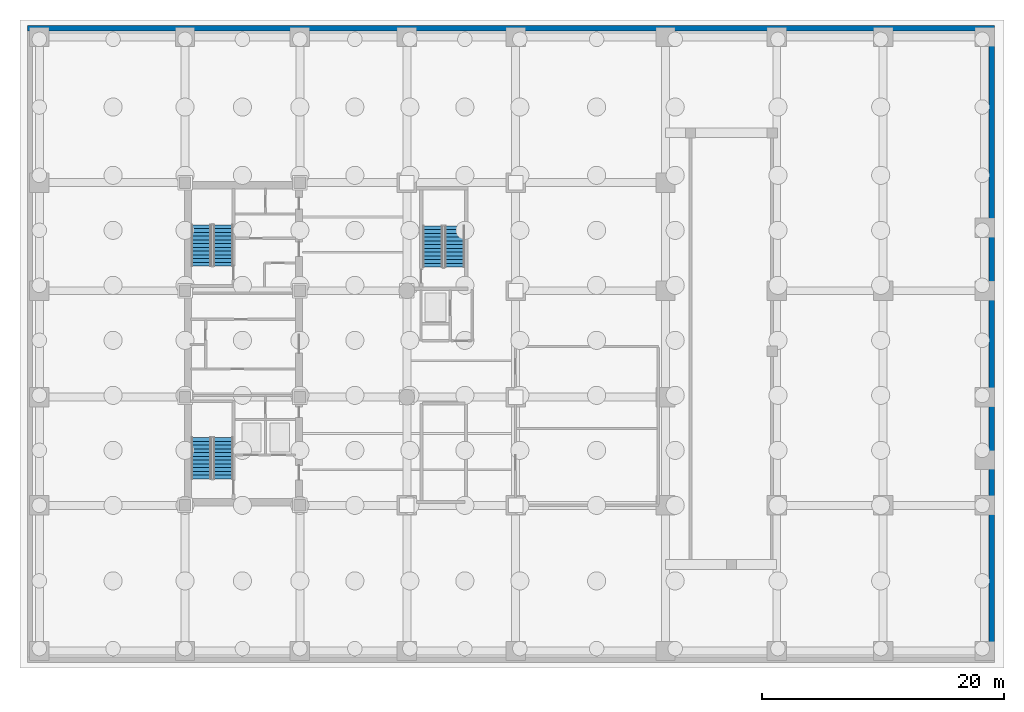
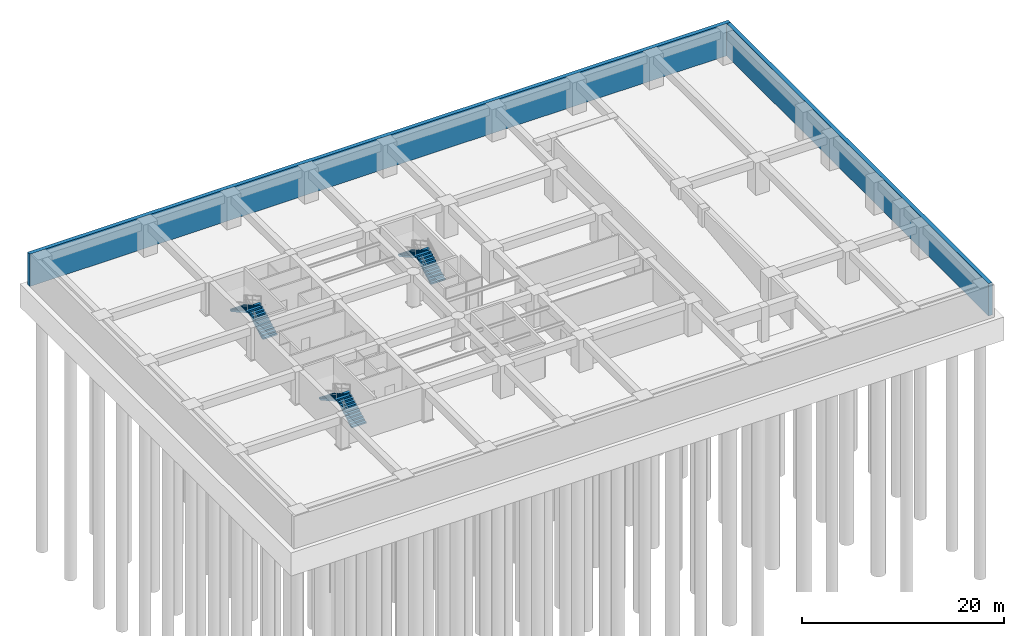
# One storey, part 7 of 9: 6 stair flights, 2 walls, 3 elements without a shape of their own.
"""IFC4 building model written with IfcOpenShell, lengths in metres."""

from ifc_helpers import new_model, si_unit, direction, frame, frame_2d, origin, place, context, subcontext, project, spatial, polyline, rectangle, outline, extrude, material, layer, layer_set, type_object, element, aggregate, save


model = new_model("IFC4")

# Units and contexts
model_context = context("Model", 3, precision=1e-05, world=origin(), true_north=direction((0.0, 1.0)))
body_context = subcontext(model_context, "Body", "Model", "MODEL_VIEW")
ifc_project = project(units=[si_unit("LENGTHUNIT", "METRE"), si_unit("AREAUNIT", "SQUARE_METRE"), si_unit("VOLUMEUNIT", "CUBIC_METRE"), si_unit("PLANEANGLEUNIT", "RADIAN"), si_unit("MASSUNIT", "GRAM", prefix="KILO")], contexts=[model_context])

# Site, building, storey
site_placement = place(None, origin())
site = spatial("IfcSite", under=ifc_project, at=site_placement, CompositionType="ELEMENT")
building_placement = place(site_placement, origin())
building = spatial("IfcBuilding", under=site, at=building_placement, Name="Kundavana Baori Tower", CompositionType="ELEMENT")
storey_placement = place(building_placement, frame((0.0, 0.0, -8.39990234375)))
storey = spatial("IfcBuildingStorey", under=building, at=storey_placement, Name="B02", CompositionType="ELEMENT", Elevation=-8.39990234375)

# Walls
ifc_material_1 = material(Name="Concrete C40/50", Category="concrete")
ifc_layer = layer(ifc_material_1, 0.449951171875, Name="WL-RET-450")
ifc_layer_set = layer_set([ifc_layer], Name="Concrete C40/50")
wall_type = type_object("IfcWallType", Name="WL-RET-450", PredefinedType="SHEAR", material=ifc_layer_set)
wall_1_placement = place(storey_placement, frame((2.39990234375, 54.72509765625, 0.0), z_axis=(0.0, 0.0, 1.0), x_axis=(1.0, 0.0, 0.0)))
element("IfcWall", 1, at=wall_1_placement, inside=storey, type_object=wall_type, Name="B02 North Perimeter Retaining Wall", PredefinedType="SHEAR", context=body_context, shape_type="SweptSolid", body=[
    extrude(rectangle(XDim=80.0, YDim=0.449951171875, at=frame_2d((40.0, 0.0))), origin(), (0.0, 0.0, 1.0), 3.89990234375),
])
wall_2_placement = place(storey_placement, frame((82.175048828125, 2.699951171875, 0.0), z_axis=(0.0, 0.0, 1.0), x_axis=(0.0, 1.0, 0.0)))
element("IfcWall", 2, at=wall_2_placement, inside=storey, type_object=wall_type, Name="B02 East Perimeter Retaining Wall", PredefinedType="SHEAR", context=body_context, shape_type="SweptSolid", body=[
    extrude(rectangle(XDim=51.800048828125, YDim=0.449951171875, at=frame_2d((25.89990234375, 0.0))), origin(), (0.0, 0.0, 1.0), 3.89990234375),
])

# Stair, stair flights
ifc_material_2 = material(Name="Concrete C40/50", Category="concrete")
stair_type = type_object("IfcStairType", Name="STR-DOG-1650", PredefinedType="HALF_TURN_STAIR", material=ifc_material_2)
stair_1_placement = place(storey_placement, origin())
stair_1 = element("IfcStair", 3, at=stair_1_placement, inside=storey, type_object=stair_type, Name="B02 Protected Exit Stair ST1", PredefinedType="HALF_TURN_STAIR")
ifc_material_3 = material(Name="Concrete C40/50", Category="concrete")
stair_flight_type = type_object("IfcStairFlightType", Name="SFL-RC-1650", PredefinedType="STRAIGHT", material=ifc_material_3)
stair_flight_1_placement = place(storey_placement, frame((18.614990234375, 17.449951171875, 0.0), z_axis=(0.0, 0.0, 1.0), x_axis=(0.0, 1.0, 0.0)))
stair_flight_1 = element("IfcStairFlight", 4, at=stair_flight_1_placement, type_object=stair_flight_type, Name="ST1 flight 1", NumberOfRisers=12, NumberOfTreads=11, PredefinedType="STRAIGHT", RiserHeight=0.175, TreadLength=0.31, context=body_context, shape_type="SweptSolid", body=[
    extrude(outline(polyline([(0.0, 0.0), (0.0, 0.175048828125), (0.31005859375, 0.175048828125), (0.31005859375, 0.35009765625), (0.6201171875, 0.35009765625), (0.6201171875, 0.52490234375), (0.929931640625, 0.52490234375), (0.929931640625, 0.699951171875), (1.239990234375, 0.699951171875), (1.239990234375, 0.875), (1.550048828125, 0.875), (1.550048828125, 1.050048828125), (1.860107421875, 1.050048828125), (1.860107421875, 1.22509765625), (2.169921875, 1.22509765625), (2.169921875, 1.39990234375), (2.47998046875, 1.39990234375), (2.47998046875, 1.574951171875), (2.7900390625, 1.574951171875), (2.7900390625, 1.75), (3.10009765625, 1.75), (3.10009765625, 1.925048828125), (3.409912109375, 1.925048828125), (3.409912109375, 2.10009765625), (3.409912109375, 1.7529296875), (0.304931640625, 0.0), (0.0, 0.0)])), frame((0.0, 0.824951171875, 0.0), z_axis=(0.0, -1.0, 0.0), x_axis=(1.0, 0.0, 0.0)), (0.0, 0.0, 1.0), 1.64990234375),
])
stair_flight_2_placement = place(storey_placement, frame((16.804931640625, 20.860107421875, 2.099853515625), z_axis=(0.0, 0.0, 1.0), x_axis=(0.0, -1.0, 0.0)))
stair_flight_2 = element("IfcStairFlight", 5, at=stair_flight_2_placement, type_object=stair_flight_type, Name="ST1 flight 2", NumberOfRisers=12, NumberOfTreads=11, PredefinedType="STRAIGHT", RiserHeight=0.175, TreadLength=0.31, context=body_context, shape_type="SweptSolid", body=[
    extrude(outline(polyline([(0.0, 0.0), (0.0, 0.175048828125), (0.31005859375, 0.175048828125), (0.31005859375, 0.35009765625), (0.6201171875, 0.35009765625), (0.6201171875, 0.52490234375), (0.929931640625, 0.52490234375), (0.929931640625, 0.699951171875), (1.239990234375, 0.699951171875), (1.239990234375, 0.875), (1.550048828125, 0.875), (1.550048828125, 1.050048828125), (1.860107421875, 1.050048828125), (1.860107421875, 1.22509765625), (2.169921875, 1.22509765625), (2.169921875, 1.39990234375), (2.47998046875, 1.39990234375), (2.47998046875, 1.574951171875), (2.7900390625, 1.574951171875), (2.7900390625, 1.75), (3.10009765625, 1.75), (3.10009765625, 1.925048828125), (3.409912109375, 1.925048828125), (3.409912109375, 2.10009765625), (3.409912109375, 1.7529296875), (0.304931640625, 0.0), (0.0, 0.0)])), frame((0.0, 0.824951171875, 0.0), z_axis=(0.0, -1.0, 0.0), x_axis=(1.0, 0.0, 0.0)), (0.0, 0.0, 1.0), 1.64990234375),
])
aggregate(stair_1, [stair_flight_1, stair_flight_2])

stair_2_placement = place(storey_placement, origin())
stair_2 = element("IfcStair", 6, at=stair_2_placement, inside=storey, type_object=stair_type, Name="B02 Protected Exit Stair ST2", PredefinedType="HALF_TURN_STAIR")
stair_flight_3_placement = place(storey_placement, frame((18.614990234375, 35.050048828125, 0.0), z_axis=(0.0, 0.0, 1.0), x_axis=(0.0, 1.0, 0.0)))
stair_flight_3 = element("IfcStairFlight", 7, at=stair_flight_3_placement, type_object=stair_flight_type, Name="ST2 flight 1", NumberOfRisers=12, NumberOfTreads=11, PredefinedType="STRAIGHT", RiserHeight=0.175, TreadLength=0.31, context=body_context, shape_type="SweptSolid", body=[
    extrude(outline(polyline([(0.0, 0.0), (0.0, 0.175048828125), (0.31005859375, 0.175048828125), (0.31005859375, 0.35009765625), (0.6201171875, 0.35009765625), (0.6201171875, 0.52490234375), (0.929931640625, 0.52490234375), (0.929931640625, 0.699951171875), (1.239990234375, 0.699951171875), (1.239990234375, 0.875), (1.550048828125, 0.875), (1.550048828125, 1.050048828125), (1.860107421875, 1.050048828125), (1.860107421875, 1.22509765625), (2.169921875, 1.22509765625), (2.169921875, 1.39990234375), (2.47998046875, 1.39990234375), (2.47998046875, 1.574951171875), (2.7900390625, 1.574951171875), (2.7900390625, 1.75), (3.10009765625, 1.75), (3.10009765625, 1.925048828125), (3.409912109375, 1.925048828125), (3.409912109375, 2.10009765625), (3.409912109375, 1.7529296875), (0.304931640625, 0.0), (0.0, 0.0)])), frame((0.0, 0.824951171875, 0.0), z_axis=(0.0, -1.0, 0.0), x_axis=(1.0, 0.0, 0.0)), (0.0, 0.0, 1.0), 1.64990234375),
])
stair_flight_4_placement = place(storey_placement, frame((16.804931640625, 38.4599609375, 2.099853515625), z_axis=(0.0, 0.0, 1.0), x_axis=(0.0, -1.0, 0.0)))
stair_flight_4 = element("IfcStairFlight", 8, at=stair_flight_4_placement, type_object=stair_flight_type, Name="ST2 flight 2", NumberOfRisers=12, NumberOfTreads=11, PredefinedType="STRAIGHT", RiserHeight=0.175, TreadLength=0.31, context=body_context, shape_type="SweptSolid", body=[
    extrude(outline(polyline([(0.0, 0.0), (0.0, 0.175048828125), (0.31005859375, 0.175048828125), (0.31005859375, 0.35009765625), (0.6201171875, 0.35009765625), (0.6201171875, 0.52490234375), (0.929931640625, 0.52490234375), (0.929931640625, 0.699951171875), (1.239990234375, 0.699951171875), (1.239990234375, 0.875), (1.550048828125, 0.875), (1.550048828125, 1.050048828125), (1.860107421875, 1.050048828125), (1.860107421875, 1.22509765625), (2.169921875, 1.22509765625), (2.169921875, 1.39990234375), (2.47998046875, 1.39990234375), (2.47998046875, 1.574951171875), (2.7900390625, 1.574951171875), (2.7900390625, 1.75), (3.10009765625, 1.75), (3.10009765625, 1.925048828125), (3.409912109375, 1.925048828125), (3.409912109375, 2.10009765625), (3.409912109375, 1.7529296875), (0.304931640625, 0.0), (0.0, 0.0)])), frame((0.0, 0.824951171875, 0.0), z_axis=(0.0, -1.0, 0.0), x_axis=(1.0, 0.0, 0.0)), (0.0, 0.0, 1.0), 1.64990234375),
])
aggregate(stair_2, [stair_flight_3, stair_flight_4])

stair_3_placement = place(storey_placement, origin())
stair_3 = element("IfcStair", 9, at=stair_3_placement, inside=storey, type_object=stair_type, Name="B02 Protected Exit Stair ST3", PredefinedType="HALF_TURN_STAIR")
stair_flight_5_placement = place(storey_placement, frame((37.7548828125, 34.949951171875, 0.0), z_axis=(0.0, 0.0, 1.0), x_axis=(0.0, 1.0, 0.0)))
stair_flight_5 = element("IfcStairFlight", 10, at=stair_flight_5_placement, type_object=stair_flight_type, Name="ST3 flight 1", NumberOfRisers=12, NumberOfTreads=11, PredefinedType="STRAIGHT", RiserHeight=0.175, TreadLength=0.31, context=body_context, shape_type="SweptSolid", body=[
    extrude(outline(polyline([(0.0, 0.0), (0.0, 0.175048828125), (0.31005859375, 0.175048828125), (0.31005859375, 0.35009765625), (0.6201171875, 0.35009765625), (0.6201171875, 0.52490234375), (0.929931640625, 0.52490234375), (0.929931640625, 0.699951171875), (1.239990234375, 0.699951171875), (1.239990234375, 0.875), (1.550048828125, 0.875), (1.550048828125, 1.050048828125), (1.860107421875, 1.050048828125), (1.860107421875, 1.22509765625), (2.169921875, 1.22509765625), (2.169921875, 1.39990234375), (2.47998046875, 1.39990234375), (2.47998046875, 1.574951171875), (2.7900390625, 1.574951171875), (2.7900390625, 1.75), (3.10009765625, 1.75), (3.10009765625, 1.925048828125), (3.409912109375, 1.925048828125), (3.409912109375, 2.10009765625), (3.409912109375, 1.7529296875), (0.304931640625, 0.0), (0.0, 0.0)])), frame((0.0, 0.824951171875, 0.0), z_axis=(0.0, -1.0, 0.0), x_axis=(1.0, 0.0, 0.0)), (0.0, 0.0, 1.0), 1.64990234375),
])
stair_flight_6_placement = place(storey_placement, frame((35.945068359375, 38.360107421875, 2.099853515625), z_axis=(0.0, 0.0, 1.0), x_axis=(0.0, -1.0, 0.0)))
stair_flight_6 = element("IfcStairFlight", 11, at=stair_flight_6_placement, type_object=stair_flight_type, Name="ST3 flight 2", NumberOfRisers=12, NumberOfTreads=11, PredefinedType="STRAIGHT", RiserHeight=0.175, TreadLength=0.31, context=body_context, shape_type="SweptSolid", body=[
    extrude(outline(polyline([(0.0, 0.0), (0.0, 0.175048828125), (0.31005859375, 0.175048828125), (0.31005859375, 0.35009765625), (0.6201171875, 0.35009765625), (0.6201171875, 0.52490234375), (0.929931640625, 0.52490234375), (0.929931640625, 0.699951171875), (1.239990234375, 0.699951171875), (1.239990234375, 0.875), (1.550048828125, 0.875), (1.550048828125, 1.050048828125), (1.860107421875, 1.050048828125), (1.860107421875, 1.22509765625), (2.169921875, 1.22509765625), (2.169921875, 1.39990234375), (2.47998046875, 1.39990234375), (2.47998046875, 1.574951171875), (2.7900390625, 1.574951171875), (2.7900390625, 1.75), (3.10009765625, 1.75), (3.10009765625, 1.925048828125), (3.409912109375, 1.925048828125), (3.409912109375, 2.10009765625), (3.409912109375, 1.7529296875), (0.304931640625, 0.0), (0.0, 0.0)])), frame((0.0, 0.824951171875, 0.0), z_axis=(0.0, -1.0, 0.0), x_axis=(1.0, 0.0, 0.0)), (0.0, 0.0, 1.0), 1.64990234375),
])
aggregate(stair_3, [stair_flight_5, stair_flight_6])

save(model, "model.ifc")
